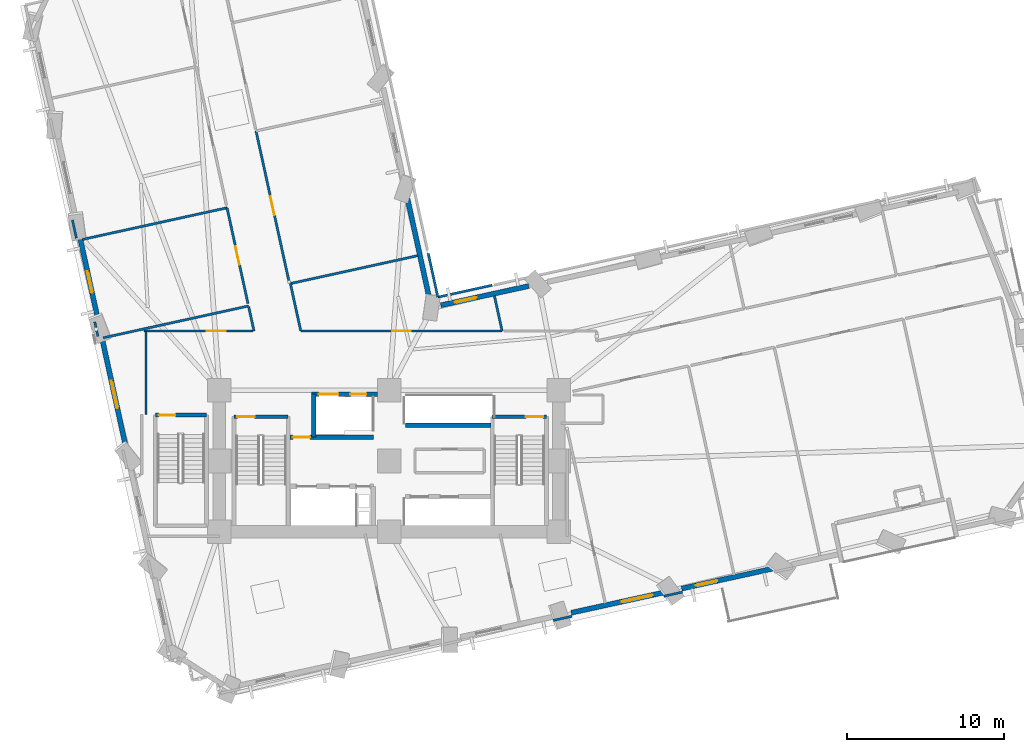
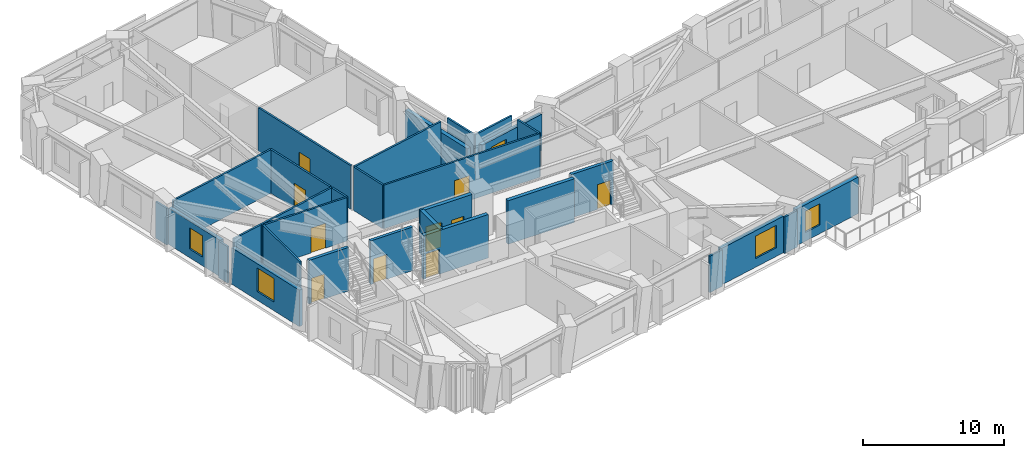
# One storey, part 7 of 14: 30 walls, 10 doors, 5 windows, 15 openings.
"""IFC4 building model written with IfcOpenShell, lengths in metres."""

from ifc_helpers import new_model, si_unit, direction, frame, frame_2d, origin, place, context, subcontext, project, spatial, rectangle, extrude, material, layer, layer_set, type_object, element, fill, save


model = new_model("IFC4")

# Units and contexts
model_context = context("Model", 3, precision=1e-05, world=origin(), true_north=direction((0.0, 1.0)))
body_context = subcontext(model_context, "Body", "Model", "MODEL_VIEW")
ifc_project = project(units=[si_unit("LENGTHUNIT", "METRE"), si_unit("AREAUNIT", "SQUARE_METRE"), si_unit("VOLUMEUNIT", "CUBIC_METRE"), si_unit("PLANEANGLEUNIT", "RADIAN"), si_unit("MASSUNIT", "GRAM", prefix="KILO")], contexts=[model_context])

# Site, building, storey
site_placement = place(None, origin())
site = spatial("IfcSite", under=ifc_project, at=site_placement, CompositionType="ELEMENT")
building_placement = place(site_placement, origin())
building = spatial("IfcBuilding", under=site, at=building_placement, Name="Gaonmaruhae Medical Tower", CompositionType="ELEMENT")
storey_placement = place(building_placement, frame((0.0, 0.0, 75.0)))
storey = spatial("IfcBuildingStorey", under=building, at=storey_placement, Name="L17", CompositionType="ELEMENT", Elevation=75.0)

# Wall, opening, window
ifc_material_1 = material(Name="Precast concrete C45/55", Category="concrete")
ifc_layer_1 = layer(ifc_material_1, 0.320068359375)
ifc_layer_set_1 = layer_set([ifc_layer_1], Name="Precast concrete C45/55")
wall_type_1 = type_object("IfcWallType", Name="EW-320 Lower Precast Masonry-Frame Facade Wall", PredefinedType="SOLIDWALL", material=ifc_layer_set_1)
wall_1_placement = place(storey_placement, frame((42.244384765625, 3.91552734375, 0.0), z_axis=(0.0, 0.0, 1.0), x_axis=(-0.976864612663, -0.213858664838, 0.0)))
wall_1 = element("IfcWall", 1, at=wall_1_placement, inside=storey, type_object=wall_type_1, Name="L17 Precast Masonry-Frame Wall S04-S05", PredefinedType="SOLIDWALL", context=body_context, shape_type="SweptSolid", body=[
    extrude(rectangle(XDim=5.9853515625, YDim=0.320068359375, at=frame_2d((2.99267578125, 0.0))), origin(), (0.0, 0.0, 1.0), 3.1650390625),
])
opening_1_placement = place(wall_1_placement, frame((0.68408203125, 0.0, 0.75)))
opening_1 = element("IfcOpeningElement", 2, at=opening_1_placement, cuts=wall_1, Name="Opening WN-02", PredefinedType="OPENING", context=body_context, shape_type="SweptSolid", body=[
    extrude(rectangle(XDim=2.0, YDim=1.949951171875, at=frame_2d((1.0, 0.97509765625))), frame((0.0, 0.169921875, 0.0), z_axis=(0.0, -1.0, 0.0), x_axis=(1.0, 0.0, 0.0)), (0.0, 0.0, 1.0), 0.340087890625),
])
ifc_material_2 = material(Name="Anodised aluminium and Low-E double glazing", Category="aluminium")
window_type_1 = type_object("IfcWindowType", Name="WN-02 Double-Bed Ward Punched Window 2000x1950", PartitioningType="SINGLE_PANEL", PredefinedType="WINDOW", material=ifc_material_2)
window_1_placement = place(opening_1_placement, origin())
window_1 = element("IfcWindow", 3, at=window_1_placement, inside=storey, type_object=window_type_1, Name="L17 Modular Facade Window S04", OverallHeight=1.949951171875, OverallWidth=2.0, PartitioningType="SINGLE_PANEL", PredefinedType="WINDOW", context=body_context, shape_type="SweptSolid", body=[
    extrude(rectangle(XDim=2.0, YDim=1.949951171875, at=frame_2d((1.0, 0.97509765625))), frame((0.0, 0.030029296875, 0.0), z_axis=(0.0, -1.0, 0.0), x_axis=(1.0, 0.0, 0.0)), (0.0, 0.0, 1.0), 0.06005859375),
])
fill(opening_1, window_1)

wall_2_placement = place(storey_placement, frame((49.28369140625, 5.456787109375, 0.0), z_axis=(0.0, 0.0, 1.0), x_axis=(-0.976859069831, -0.213883981842, 0.0)))
wall_2 = element("IfcWall", 4, at=wall_2_placement, inside=storey, type_object=wall_type_1, Name="L17 Precast Masonry-Frame Wall S05-S06", PredefinedType="SOLIDWALL", context=body_context, shape_type="SweptSolid", body=[
    extrude(rectangle(XDim=5.99267578125, YDim=0.320068359375, at=frame_2d((2.996337890625, 0.0))), origin(), (0.0, 0.0, 1.0), 3.1650390625),
])
opening_2_placement = place(wall_2_placement, frame((3.673095703125, 0.0, 0.75)))
opening_2 = element("IfcOpeningElement", 5, at=opening_2_placement, cuts=wall_2, Name="Opening WN-03", PredefinedType="OPENING", context=body_context, shape_type="SweptSolid", body=[
    extrude(rectangle(XDim=1.39990234375, YDim=1.85009765625, at=frame_2d((0.699951171875, 0.925048828125))), frame((0.0, 0.169921875, 0.0), z_axis=(0.0, -1.0, 0.0), x_axis=(1.0, 0.0, 0.0)), (0.0, 0.0, 1.0), 0.340087890625),
])
window_type_2 = type_object("IfcWindowType", Name="WN-03 Isolation Ward Punched Window 1400x1850", PartitioningType="SINGLE_PANEL", PredefinedType="WINDOW", material=ifc_material_2)
window_2_placement = place(opening_2_placement, origin())
window_2 = element("IfcWindow", 6, at=window_2_placement, inside=storey, type_object=window_type_2, Name="L17 Modular Facade Window S05", OverallHeight=1.85009765625, OverallWidth=1.39990234375, PartitioningType="SINGLE_PANEL", PredefinedType="WINDOW", context=body_context, shape_type="SweptSolid", body=[
    extrude(rectangle(XDim=1.39990234375, YDim=1.85009765625, at=frame_2d((0.699951171875, 0.925048828125))), frame((0.0, 0.030029296875, 0.0), z_axis=(0.0, -1.0, 0.0), x_axis=(1.0, 0.0, 0.0)), (0.0, 0.0, 1.0), 0.06005859375),
])
fill(opening_2, window_2)

wall_3_placement = place(storey_placement, frame((28.093017578125, 22.21240234375, 0.0), z_axis=(0.0, 0.0, 1.0), x_axis=(0.976862240577, 0.213869499778, 0.0)))
wall_3 = element("IfcWall", 7, at=wall_3_placement, inside=storey, type_object=wall_type_1, Name="L17 Precast Masonry-Frame Wall EN04-KN01", PredefinedType="SOLIDWALL", context=body_context, shape_type="SweptSolid", body=[
    extrude(rectangle(XDim=5.736328125, YDim=0.320068359375, at=frame_2d((2.8681640625, 0.0))), origin(), (0.0, 0.0, 1.0), 3.1650390625),
])
opening_3_placement = place(wall_3_placement, frame((0.927978515625, 0.0, 0.75)))
opening_3 = element("IfcOpeningElement", 8, at=opening_3_placement, cuts=wall_3, Name="Opening WN-03", PredefinedType="OPENING", context=body_context, shape_type="SweptSolid", body=[
    extrude(rectangle(XDim=1.39990234375, YDim=1.85009765625, at=frame_2d((0.699951171875, 0.925048828125))), frame((0.0, 0.169921875, 0.0), z_axis=(0.0, -1.0, 0.0), x_axis=(1.0, 0.0, 0.0)), (0.0, 0.0, 1.0), 0.340087890625),
])
window_3_placement = place(opening_3_placement, origin())
window_3 = element("IfcWindow", 9, at=window_3_placement, inside=storey, type_object=window_type_2, Name="L17 Modular Facade Window EN04", OverallHeight=1.85009765625, OverallWidth=1.39990234375, PartitioningType="SINGLE_PANEL", PredefinedType="WINDOW", context=body_context, shape_type="SweptSolid", body=[
    extrude(rectangle(XDim=1.39990234375, YDim=1.85009765625, at=frame_2d((0.699951171875, 0.925048828125))), frame((0.0, 0.030029296875, 0.0), z_axis=(0.0, -1.0, 0.0), x_axis=(1.0, 0.0, 0.0)), (0.0, 0.0, 1.0), 0.06005859375),
])
fill(opening_3, window_3)

# Wall
wall_4_placement = place(storey_placement, frame((27.371826171875, 22.62109375, 0.0), z_axis=(0.0, 0.0, 1.0), x_axis=(-0.213848378678, 0.976866864489, 0.0)))
element("IfcWall", 10, at=wall_4_placement, inside=storey, type_object=wall_type_1, Name="L17 Precast Masonry-Frame Wall KN01-NE01", PredefinedType="SOLIDWALL", context=body_context, shape_type="SweptSolid", body=[
    extrude(rectangle(XDim=6.535888671875, YDim=0.320068359375, at=frame_2d((3.26806640625, 0.0))), origin(), (0.0, 0.0, 1.0), 2.864990234375),
])

# Wall, opening, window
wall_5_placement = place(storey_placement, frame((6.286865234375, 21.205078125, 0.0), z_axis=(0.0, 0.0, 1.0), x_axis=(-0.21388700502, 0.976858407899, 0.0)))
wall_5 = element("IfcWall", 11, at=wall_5_placement, inside=storey, type_object=wall_type_1, Name="L17 Precast Masonry-Frame Wall W03-W04", PredefinedType="SOLIDWALL", context=body_context, shape_type="SweptSolid", body=[
    extrude(rectangle(XDim=5.437744140625, YDim=0.320068359375, at=frame_2d((2.71875, 0.0))), origin(), (0.0, 0.0, 1.0), 3.1650390625),
])
opening_4_placement = place(wall_5_placement, frame((1.842529296875, 0.0, 0.75)))
opening_4 = element("IfcOpeningElement", 12, at=opening_4_placement, cuts=wall_5, Name="Opening WN-03", PredefinedType="OPENING", context=body_context, shape_type="SweptSolid", body=[
    extrude(rectangle(XDim=1.39990234375, YDim=1.85009765625, at=frame_2d((0.699951171875, 0.925048828125))), frame((0.0, 0.169921875, 0.0), z_axis=(0.0, -1.0, 0.0), x_axis=(1.0, 0.0, 0.0)), (0.0, 0.0, 1.0), 0.340087890625),
])
window_4_placement = place(opening_4_placement, origin())
window_4 = element("IfcWindow", 13, at=window_4_placement, inside=storey, type_object=window_type_2, Name="L17 Modular Facade Window W03", OverallHeight=1.85009765625, OverallWidth=1.39990234375, PartitioningType="SINGLE_PANEL", PredefinedType="WINDOW", context=body_context, shape_type="SweptSolid", body=[
    extrude(rectangle(XDim=1.39990234375, YDim=1.85009765625, at=frame_2d((0.699951171875, 0.925048828125))), frame((0.0, 0.030029296875, 0.0), z_axis=(0.0, -1.0, 0.0), x_axis=(1.0, 0.0, 0.0)), (0.0, 0.0, 1.0), 0.06005859375),
])
fill(opening_4, window_4)

wall_6_placement = place(storey_placement, frame((8.0732421875, 13.04638671875, 0.0), z_axis=(0.0, 0.0, 1.0), x_axis=(-0.213886644923, 0.976858486744, 0.0)))
wall_6 = element("IfcWall", 14, at=wall_6_placement, inside=storey, type_object=wall_type_1, Name="L17 Precast Masonry-Frame Wall W04-W05", PredefinedType="SOLIDWALL", context=body_context, shape_type="SweptSolid", body=[
    extrude(rectangle(XDim=7.13623046875, YDim=0.320068359375, at=frame_2d((3.568115234375, 0.0))), origin(), (0.0, 0.0, 1.0), 3.1650390625),
])
opening_5_placement = place(wall_6_placement, frame((2.668701171875, 0.0, 0.75)))
opening_5 = element("IfcOpeningElement", 15, at=opening_5_placement, cuts=wall_6, Name="Opening WN-04", PredefinedType="OPENING", context=body_context, shape_type="SweptSolid", body=[
    extrude(rectangle(XDim=1.800048828125, YDim=2.050048828125, at=frame_2d((0.89990234375, 1.02490234375))), frame((0.0, 0.169921875, 0.0), z_axis=(0.0, -1.0, 0.0), x_axis=(1.0, 0.0, 0.0)), (0.0, 0.0, 1.0), 0.340087890625),
])
window_type_3 = type_object("IfcWindowType", Name="WN-04 Clinic & Consult Punched Window 1800x2050", PartitioningType="SINGLE_PANEL", PredefinedType="WINDOW", material=ifc_material_2)
window_5_placement = place(opening_5_placement, origin())
window_5 = element("IfcWindow", 16, at=window_5_placement, inside=storey, type_object=window_type_3, Name="L17 Modular Facade Window W04", OverallHeight=2.050048828125, OverallWidth=1.800048828125, PartitioningType="SINGLE_PANEL", PredefinedType="WINDOW", context=body_context, shape_type="SweptSolid", body=[
    extrude(rectangle(XDim=1.800048828125, YDim=2.050048828125, at=frame_2d((0.89990234375, 1.02490234375))), frame((0.0, 0.030029296875, 0.0), z_axis=(0.0, -1.0, 0.0), x_axis=(1.0, 0.0, 0.0)), (0.0, 0.0, 1.0), 0.06005859375),
])
fill(opening_5, window_5)

# Walls
ifc_material_3 = material(Name="Gypsum board partition", Category="gypsum")
ifc_layer_2 = layer(ifc_material_3, 0.14990234375)
ifc_layer_set_2 = layer_set([ifc_layer_2], Name="Gypsum board partition")
wall_type_2 = type_object("IfcWallType", Name="PW-150 Rated Clinical Corridor Partition", PredefinedType="PARTITIONING", material=ifc_layer_set_2)
wall_7_placement = place(storey_placement, frame((36.447021484375, 2.410888671875, 0.0), z_axis=(0.0, 0.0, 1.0), x_axis=(-0.976839685848, -0.213972493918, 0.0)))
element("IfcWall", 17, at=wall_7_placement, inside=storey, type_object=wall_type_2, Name="L17 Interior Partition L17-SUP04-19", PredefinedType="PARTITIONING", context=body_context, shape_type="SweptSolid", body=[
    extrude(rectangle(XDim=1.215087890625, YDim=0.14990234375, at=frame_2d((0.607421875, 0.0))), origin(), (0.0, 0.0, 1.0), 3.1650390625),
])
wall_8_placement = place(storey_placement, frame((43.47900390625, 3.949951171875, 0.0), z_axis=(0.0, 0.0, 1.0), x_axis=(-0.976970809845, -0.213372999021, 0.0)))
element("IfcWall", 18, at=wall_8_placement, inside=storey, type_object=wall_type_2, Name="L17 Interior Partition L17-SUP05-23", PredefinedType="PARTITIONING", context=body_context, shape_type="SweptSolid", body=[
    extrude(rectangle(XDim=1.214111328125, YDim=0.14990234375, at=frame_2d((0.60693359375, 0.0))), origin(), (0.0, 0.0, 1.0), 3.1650390625),
])
wall_9_placement = place(storey_placement, frame((9.320068359375, 20.550048828125, 0.0), z_axis=(0.0, 0.0, 1.0), x_axis=(0.001476830584, -0.999998909485, 0.0)))
element("IfcWall", 19, at=wall_9_placement, inside=storey, type_object=wall_type_2, Name="L17 Interior Partition L17-WCL09-41", PredefinedType="PARTITIONING", context=body_context, shape_type="SweptSolid", body=[
    extrude(rectangle(XDim=5.2900390625, YDim=0.14990234375, at=frame_2d((2.64501953125, 0.0))), origin(), (0.0, 0.0, 1.0), 3.780029296875),
])
wall_10_placement = place(storey_placement, frame((6.60009765625, 20.14208984375, 0.0), z_axis=(0.0, 0.0, 1.0), x_axis=(0.976855600785, 0.213899825188, 0.0)))
element("IfcWall", 20, at=wall_10_placement, inside=storey, type_object=wall_type_2, Name="L17 Interior Partition L17-WCL09-45", PredefinedType="PARTITIONING", context=body_context, shape_type="SweptSolid", body=[
    extrude(rectangle(XDim=9.47119140625, YDim=0.14990234375, at=frame_2d((4.735595703125, 0.0))), origin(), (0.0, 0.0, 1.0), 3.780029296875),
])
wall_11_placement = place(storey_placement, frame((15.863037109375, 22.118896484375, 0.0), z_axis=(0.0, 0.0, 1.0), x_axis=(0.213877135487, -0.97686056882, 0.0)))
element("IfcWall", 21, at=wall_11_placement, inside=storey, type_object=wall_type_2, Name="L17 Interior Partition L17-WCL09-46", PredefinedType="PARTITIONING", context=body_context, shape_type="SweptSolid", body=[
    extrude(rectangle(XDim=1.5751953125, YDim=0.14990234375, at=frame_2d((0.78759765625, 0.0))), origin(), (0.0, 0.0, 1.0), 3.780029296875),
])

# Wall, opening, door
wall_12_placement = place(storey_placement, frame((16.14892578125, 20.580078125, 0.0), z_axis=(0.0, 0.0, 1.0), x_axis=(-1.0, 0.0, 0.0)))
wall_12 = element("IfcWall", 22, at=wall_12_placement, inside=storey, type_object=wall_type_2, Name="L17 Interior Partition L17-WCL09-47", PredefinedType="PARTITIONING", context=body_context, shape_type="SweptSolid", body=[
    extrude(rectangle(XDim=6.9638671875, YDim=0.14990234375, at=frame_2d((3.48193359375, 0.0))), origin(), (0.0, 0.0, 1.0), 3.780029296875),
])
opening_6_placement = place(wall_12_placement, frame((1.743408203125, 0.0, 0.0)))
opening_6 = element("IfcOpeningElement", 23, at=opening_6_placement, cuts=wall_12, Name="Opening CD-02", PredefinedType="OPENING", context=body_context, shape_type="SweptSolid", body=[
    extrude(rectangle(XDim=1.199951171875, YDim=2.14990234375, at=frame_2d((0.60009765625, 1.074951171875))), frame((0.0, 0.0849609375, 0.0), z_axis=(0.0, -1.0, 0.0), x_axis=(1.0, 0.0, 0.0)), (0.0, 0.0, 1.0), 0.169921875),
])
ifc_material_4 = material(Name="Antimicrobial laminate timber fire door", Category="wood")
door_type_1 = type_object("IfcDoorType", Name="CD-02 Clinical Treatment & Procedure Door 1200x2150", OperationType="NOTDEFINED", PredefinedType="DOOR", material=ifc_material_4)
door_1_placement = place(opening_6_placement, origin())
door_1 = element("IfcDoor", 24, at=door_1_placement, inside=storey, type_object=door_type_1, Name="L17 Specialist Consultation Office Door", OperationType="SINGLE_SWING_RIGHT", OverallHeight=2.14990234375, OverallWidth=1.199951171875, PredefinedType="DOOR", context=body_context, shape_type="SweptSolid", body=[
    extrude(rectangle(XDim=1.199951171875, YDim=2.14990234375, at=frame_2d((0.60009765625, 1.074951171875))), frame((0.0, 0.02490234375, 0.0), z_axis=(0.0, -1.0, 0.0), x_axis=(1.0, 0.0, 0.0)), (0.0, 0.0, 1.0), 0.050048828125),
])
fill(opening_6, door_1)

# Wall
wall_13_placement = place(storey_placement, frame((5.285888671875, 26.406005859375, 0.0), z_axis=(0.0, 0.0, 1.0), x_axis=(0.976854150105, 0.213906450166, 0.0)))
element("IfcWall", 25, at=wall_13_placement, inside=storey, type_object=wall_type_2, Name="L17 Interior Partition L17-WOF10-48", PredefinedType="PARTITIONING", context=body_context, shape_type="SweptSolid", body=[
    extrude(rectangle(XDim=9.4150390625, YDim=0.14990234375, at=frame_2d((4.70751953125, 0.0))), origin(), (0.0, 0.0, 1.0), 3.780029296875),
])

# Wall, opening, door
wall_14_placement = place(storey_placement, frame((14.48291015625, 28.419921875, 0.0), z_axis=(0.0, 0.0, 1.0), x_axis=(0.213959387343, -0.976842556694, 0.0)))
wall_14 = element("IfcWall", 26, at=wall_14_placement, inside=storey, type_object=wall_type_2, Name="L17 Interior Partition L17-WOF10-49", PredefinedType="PARTITIONING", context=body_context, shape_type="SweptSolid", body=[
    extrude(rectangle(XDim=6.240478515625, YDim=0.14990234375, at=frame_2d((3.1201171875, 0.0))), origin(), (0.0, 0.0, 1.0), 3.780029296875),
])
opening_7_placement = place(wall_14_placement, frame((2.520263671875, 0.0, 0.0)))
opening_7 = element("IfcOpeningElement", 27, at=opening_7_placement, cuts=wall_14, Name="Opening CD-02", PredefinedType="OPENING", context=body_context, shape_type="SweptSolid", body=[
    extrude(rectangle(XDim=1.199951171875, YDim=2.14990234375, at=frame_2d((0.60009765625, 1.074951171875))), frame((0.0, 0.0849609375, 0.0), z_axis=(0.0, -1.0, 0.0), x_axis=(1.0, 0.0, 0.0)), (0.0, 0.0, 1.0), 0.169921875),
])
door_2_placement = place(opening_7_placement, origin())
door_2 = element("IfcDoor", 28, at=door_2_placement, inside=storey, type_object=door_type_1, Name="L17 Ward Physician Reporting Office Door", OperationType="SINGLE_SWING_LEFT", OverallHeight=2.14990234375, OverallWidth=1.199951171875, PredefinedType="DOOR", context=body_context, shape_type="SweptSolid", body=[
    extrude(rectangle(XDim=1.199951171875, YDim=2.14990234375, at=frame_2d((0.60009765625, 1.074951171875))), frame((0.0, 0.02490234375, 0.0), z_axis=(0.0, -1.0, 0.0), x_axis=(1.0, 0.0, 0.0)), (0.0, 0.0, 1.0), 0.050048828125),
])
fill(opening_7, door_2)

# Walls
wall_15_placement = place(storey_placement, frame((6.263916015625, 20.23291015625, 0.0), z_axis=(0.0, 0.0, 1.0), x_axis=(-0.213673762505, 0.9769050738, 0.0)))
element("IfcWall", 29, at=wall_15_placement, inside=storey, type_object=wall_type_2, Name="L17 Interior Partition L17-WOF10-50", PredefinedType="PARTITIONING", context=body_context, shape_type="SweptSolid", body=[
    extrude(rectangle(XDim=0.94482421875, YDim=0.14990234375, at=frame_2d((0.472412109375, 0.0))), origin(), (0.0, 0.0, 1.0), 3.1650390625),
])
wall_16_placement = place(storey_placement, frame((4.89501953125, 26.485107421875, 0.0), z_axis=(0.0, 0.0, 1.0), x_axis=(-0.214302312484, 0.976767382166, 0.0)))
element("IfcWall", 30, at=wall_16_placement, inside=storey, type_object=wall_type_2, Name="L17 Interior Partition L17-WOF11-53", PredefinedType="PARTITIONING", context=body_context, shape_type="SweptSolid", body=[
    extrude(rectangle(XDim=1.1904296875, YDim=0.14990234375, at=frame_2d((0.59521484375, 0.0))), origin(), (0.0, 0.0, 1.0), 3.1650390625),
])
wall_17_placement = place(storey_placement, frame((18.51806640625, 23.595947265625, 0.0), z_axis=(0.0, 0.0, 1.0), x_axis=(0.97684033918, 0.213969511266, 0.0)))
element("IfcWall", 31, at=wall_17_placement, inside=storey, type_object=wall_type_2, Name="L17 Interior Partition L17-IE01-59", PredefinedType="PARTITIONING", context=body_context, shape_type="SweptSolid", body=[
    extrude(rectangle(XDim=8.305419921875, YDim=0.14990234375, at=frame_2d((4.15283203125, 0.0))), origin(), (0.0, 0.0, 1.0), 3.780029296875),
])
wall_18_placement = place(storey_placement, frame((27.300048828125, 25.51904296875, 0.0), z_axis=(0.0, 0.0, 1.0), x_axis=(0.213990668266, -0.976835704658, 0.0)))
element("IfcWall", 32, at=wall_18_placement, inside=storey, type_object=wall_type_2, Name="L17 Interior Partition L17-IE01-60", PredefinedType="PARTITIONING", context=body_context, shape_type="SweptSolid", body=[
    extrude(rectangle(XDim=2.849853515625, YDim=0.14990234375, at=frame_2d((1.4248046875, 0.0))), origin(), (0.0, 0.0, 1.0), 3.780029296875),
])
wall_19_placement = place(storey_placement, frame((27.909912109375, 22.735107421875, 0.0), z_axis=(0.0, 0.0, 1.0), x_axis=(0.976833231196, 0.214001958943, 0.0)))
element("IfcWall", 33, at=wall_19_placement, inside=storey, type_object=wall_type_2, Name="L17 Interior Partition L17-IE01-61", PredefinedType="PARTITIONING", context=body_context, shape_type="SweptSolid", body=[
    extrude(rectangle(XDim=3.531982421875, YDim=0.14990234375, at=frame_2d((1.76611328125, 0.0))), origin(), (0.0, 0.0, 1.0), 3.780029296875),
])
wall_20_placement = place(storey_placement, frame((31.507080078125, 22.822021484375, 0.0), z_axis=(0.0, 0.0, 1.0), x_axis=(0.213922116601, -0.976850719419, 0.0)))
element("IfcWall", 34, at=wall_20_placement, inside=storey, type_object=wall_type_2, Name="L17 Interior Partition L17-IE01-62", PredefinedType="PARTITIONING", context=body_context, shape_type="SweptSolid", body=[
    extrude(rectangle(XDim=2.295166015625, YDim=0.14990234375, at=frame_2d((1.1474609375, 0.0))), origin(), (0.0, 0.0, 1.0), 3.780029296875),
])

# Wall, opening, door
wall_21_placement = place(storey_placement, frame((31.998046875, 20.580078125, 0.0), z_axis=(0.0, 0.0, 1.0), x_axis=(-1.0, 0.0, 0.0)))
wall_21 = element("IfcWall", 35, at=wall_21_placement, inside=storey, type_object=wall_type_2, Name="L17 Interior Partition L17-IE01-63", PredefinedType="PARTITIONING", context=body_context, shape_type="SweptSolid", body=[
    extrude(rectangle(XDim=12.819091796875, YDim=0.14990234375, at=frame_2d((6.40966796875, 0.0))), origin(), (0.0, 0.0, 1.0), 3.780029296875),
])
opening_8_placement = place(wall_21_placement, frame((5.8095703125, 0.0, 0.0)))
opening_8 = element("IfcOpeningElement", 36, at=opening_8_placement, cuts=wall_21, Name="Opening CD-02", PredefinedType="OPENING", context=body_context, shape_type="SweptSolid", body=[
    extrude(rectangle(XDim=1.199951171875, YDim=2.14990234375, at=frame_2d((0.60009765625, 1.074951171875))), frame((0.0, 0.0849609375, 0.0), z_axis=(0.0, -1.0, 0.0), x_axis=(1.0, 0.0, 0.0)), (0.0, 0.0, 1.0), 0.169921875),
])
door_3_placement = place(opening_8_placement, origin())
door_3 = element("IfcDoor", 37, at=door_3_placement, inside=storey, type_object=door_type_1, Name="L17 Central Clinical Nurse Station Door", OperationType="SINGLE_SWING_RIGHT", OverallHeight=2.14990234375, OverallWidth=1.199951171875, PredefinedType="DOOR", context=body_context, shape_type="SweptSolid", body=[
    extrude(rectangle(XDim=1.199951171875, YDim=2.14990234375, at=frame_2d((0.60009765625, 1.074951171875))), frame((0.0, 0.02490234375, 0.0), z_axis=(0.0, -1.0, 0.0), x_axis=(1.0, 0.0, 0.0)), (0.0, 0.0, 1.0), 0.050048828125),
])
fill(opening_8, door_3)

# Wall
wall_22_placement = place(storey_placement, frame((19.178955078125, 20.580078125, 0.0), z_axis=(0.0, 0.0, 1.0), x_axis=(-0.214057678947, 0.976821022544, 0.0)))
element("IfcWall", 38, at=wall_22_placement, inside=storey, type_object=wall_type_2, Name="L17 Interior Partition L17-IE01-64", PredefinedType="PARTITIONING", context=body_context, shape_type="SweptSolid", body=[
    extrude(rectangle(XDim=3.08740234375, YDim=0.14990234375, at=frame_2d((1.543701171875, 0.0))), origin(), (0.0, 0.0, 1.0), 3.780029296875),
])

# Wall, opening, door
wall_23_placement = place(storey_placement, frame((18.4150390625, 23.7890625, 0.0), z_axis=(0.0, 0.0, 1.0), x_axis=(-0.213853705806, 0.976865698299, 0.0)))
wall_23 = element("IfcWall", 39, at=wall_23_placement, inside=storey, type_object=wall_type_2, Name="L17 Interior Partition L17-IN01-80", PredefinedType="PARTITIONING", context=body_context, shape_type="SweptSolid", body=[
    extrude(rectangle(XDim=9.74951171875, YDim=0.14990234375, at=frame_2d((4.874755859375, 0.0))), origin(), (0.0, 0.0, 1.0), 3.780029296875),
])
opening_9_placement = place(wall_23_placement, frame((4.27490234375, 0.0, 0.0)))
opening_9 = element("IfcOpeningElement", 40, at=opening_9_placement, cuts=wall_23, Name="Opening CD-02", PredefinedType="OPENING", context=body_context, shape_type="SweptSolid", body=[
    extrude(rectangle(XDim=1.199951171875, YDim=2.14990234375, at=frame_2d((0.60009765625, 1.074951171875))), frame((0.0, 0.0849609375, 0.0), z_axis=(0.0, -1.0, 0.0), x_axis=(1.0, 0.0, 0.0)), (0.0, 0.0, 1.0), 0.169921875),
])
door_4_placement = place(opening_9_placement, origin())
door_4 = element("IfcDoor", 41, at=door_4_placement, inside=storey, type_object=door_type_1, Name="L17 Physician Consultation Office Door", OperationType="SINGLE_SWING_LEFT", OverallHeight=2.14990234375, OverallWidth=1.199951171875, PredefinedType="DOOR", context=body_context, shape_type="SweptSolid", body=[
    extrude(rectangle(XDim=1.199951171875, YDim=2.14990234375, at=frame_2d((0.60009765625, 1.074951171875))), frame((0.0, 0.02490234375, 0.0), z_axis=(0.0, -1.0, 0.0), x_axis=(1.0, 0.0, 0.0)), (0.0, 0.0, 1.0), 0.050048828125),
])
fill(opening_9, door_4)

ifc_material_5 = material(Name="Concrete C50/60", Category="concrete")
ifc_layer_3 = layer(ifc_material_5, 0.239990234375)
ifc_layer_set_3 = layer_set([ifc_layer_3], Name="Concrete C50/60")
wall_type_3 = type_object("IfcWallType", Name="SW-240 Dogleg Stair Tight Shaft Wall", PredefinedType="SOLIDWALL", material=ifc_layer_set_3)
wall_24_placement = place(storey_placement, frame((14.919921875, 15.1201171875, 0.0), z_axis=(0.0, 0.0, 1.0), x_axis=(1.0, 0.0, 0.0)))
wall_24 = element("IfcWall", 42, at=wall_24_placement, inside=storey, type_object=wall_type_3, Name="L17 ST-01 Stair Shaft Wall SHW-ST-01-N", PredefinedType="SOLIDWALL", context=body_context, shape_type="SweptSolid", body=[
    extrude(rectangle(XDim=3.4599609375, YDim=0.239990234375, at=frame_2d((1.72998046875, 0.0))), origin(), (0.0, 0.0, 1.0), 3.780029296875),
])
opening_10_placement = place(wall_24_placement, frame((0.219970703125, 0.0, 0.0)))
opening_10 = element("IfcOpeningElement", 43, at=opening_10_placement, cuts=wall_24, Name="Opening FD-01", PredefinedType="OPENING", context=body_context, shape_type="SweptSolid", body=[
    extrude(rectangle(XDim=1.10009765625, YDim=2.14990234375, at=frame_2d((0.550048828125, 1.074951171875))), frame((0.0, 0.1298828125, 0.0), z_axis=(0.0, -1.0, 0.0), x_axis=(1.0, 0.0, 0.0)), (0.0, 0.0, 1.0), 0.260009765625),
])
ifc_material_6 = material(Name="Powder-coated steel fire door", Category="steel")
door_type_2 = type_object("IfcDoorType", Name="FD-01 Escape Stair Protected Fire Door 1100x2150", OperationType="NOTDEFINED", PredefinedType="DOOR", material=ifc_material_6)
door_5_placement = place(opening_10_placement, origin())
door_5 = element("IfcDoor", 44, at=door_5_placement, inside=storey, type_object=door_type_2, Name="L17 ST-01 Protected Escape Stair Door", OperationType="SINGLE_SWING_RIGHT", OverallHeight=2.14990234375, OverallWidth=1.10009765625, PredefinedType="DOOR", context=body_context, shape_type="SweptSolid", body=[
    extrude(rectangle(XDim=1.10009765625, YDim=2.14990234375, at=frame_2d((0.550048828125, 1.074951171875))), frame((0.0, 0.02490234375, 0.0), z_axis=(0.0, -1.0, 0.0), x_axis=(1.0, 0.0, 0.0)), (0.0, 0.0, 1.0), 0.050048828125),
])
fill(opening_10, door_5)

wall_25_placement = place(storey_placement, frame((31.3701171875, 15.1201171875, 0.0), z_axis=(0.0, 0.0, 1.0), x_axis=(1.0, 0.0, 0.0)))
wall_25 = element("IfcWall", 45, at=wall_25_placement, inside=storey, type_object=wall_type_3, Name="L17 ST-02 Stair Shaft Wall SHW-ST-02-N", PredefinedType="SOLIDWALL", context=body_context, shape_type="SweptSolid", body=[
    extrude(rectangle(XDim=3.4599609375, YDim=0.239990234375, at=frame_2d((1.72998046875, 0.0))), origin(), (0.0, 0.0, 1.0), 3.780029296875),
])
opening_11_placement = place(wall_25_placement, frame((2.139892578125, 0.0, 0.0)))
opening_11 = element("IfcOpeningElement", 46, at=opening_11_placement, cuts=wall_25, Name="Opening FD-01", PredefinedType="OPENING", context=body_context, shape_type="SweptSolid", body=[
    extrude(rectangle(XDim=1.10009765625, YDim=2.14990234375, at=frame_2d((0.550048828125, 1.074951171875))), frame((0.0, 0.1298828125, 0.0), z_axis=(0.0, -1.0, 0.0), x_axis=(1.0, 0.0, 0.0)), (0.0, 0.0, 1.0), 0.260009765625),
])
door_6_placement = place(opening_11_placement, origin())
door_6 = element("IfcDoor", 47, at=door_6_placement, inside=storey, type_object=door_type_2, Name="L17 ST-02 Protected Escape Stair Door", OperationType="SINGLE_SWING_LEFT", OverallHeight=2.14990234375, OverallWidth=1.10009765625, PredefinedType="DOOR", context=body_context, shape_type="SweptSolid", body=[
    extrude(rectangle(XDim=1.10009765625, YDim=2.14990234375, at=frame_2d((0.550048828125, 1.074951171875))), frame((0.0, 0.02490234375, 0.0), z_axis=(0.0, -1.0, 0.0), x_axis=(1.0, 0.0, 0.0)), (0.0, 0.0, 1.0), 0.050048828125),
])
fill(opening_11, door_6)

wall_26_placement = place(storey_placement, frame((9.919921875, 15.219970703125, 0.0), z_axis=(0.0, 0.0, 1.0), x_axis=(1.0, 0.0, 0.0)))
wall_26 = element("IfcWall", 48, at=wall_26_placement, inside=storey, type_object=wall_type_3, Name="L17 ST-03 Stair Shaft Wall SHW-ST-03-N", PredefinedType="SOLIDWALL", context=body_context, shape_type="SweptSolid", body=[
    extrude(rectangle(XDim=3.260009765625, YDim=0.239990234375, at=frame_2d((1.6298828125, 0.0))), origin(), (0.0, 0.0, 1.0), 3.780029296875),
])
opening_12_placement = place(wall_26_placement, frame((0.219970703125, 0.0, 0.0)))
opening_12 = element("IfcOpeningElement", 49, at=opening_12_placement, cuts=wall_26, Name="Opening FD-02", PredefinedType="OPENING", context=body_context, shape_type="SweptSolid", body=[
    extrude(rectangle(XDim=1.050048828125, YDim=2.14990234375, at=frame_2d((0.52490234375, 1.074951171875))), frame((0.0, 0.1298828125, 0.0), z_axis=(0.0, -1.0, 0.0), x_axis=(1.0, 0.0, 0.0)), (0.0, 0.0, 1.0), 0.260009765625),
])
door_type_3 = type_object("IfcDoorType", Name="FD-02 Secondary Stair Fire Door 1050x2150", OperationType="NOTDEFINED", PredefinedType="DOOR", material=ifc_material_6)
door_7_placement = place(opening_12_placement, origin())
door_7 = element("IfcDoor", 50, at=door_7_placement, inside=storey, type_object=door_type_3, Name="L17 ST-03 Protected Escape Stair Door", OperationType="SINGLE_SWING_RIGHT", OverallHeight=2.14990234375, OverallWidth=1.050048828125, PredefinedType="DOOR", context=body_context, shape_type="SweptSolid", body=[
    extrude(rectangle(XDim=1.050048828125, YDim=2.14990234375, at=frame_2d((0.52490234375, 1.074951171875))), frame((0.0, 0.02490234375, 0.0), z_axis=(0.0, -1.0, 0.0), x_axis=(1.0, 0.0, 0.0)), (0.0, 0.0, 1.0), 0.050048828125),
])
fill(opening_12, door_7)

# Wall, openings, doors
ifc_layer_4 = layer(ifc_material_5, 0.300048828125)
ifc_layer_set_4 = layer_set([ifc_layer_4], Name="Concrete C50/60")
wall_type_4 = type_object("IfcWallType", Name="SW-300 Stair & Lift Hoistway Shaft Wall", PredefinedType="SOLIDWALL", material=ifc_layer_set_4)
wall_27_placement = place(storey_placement, frame((19.85009765625, 16.550048828125, 0.0), z_axis=(0.0, 0.0, 1.0), x_axis=(1.0, 0.0, 0.0)))
wall_27 = element("IfcWall", 51, at=wall_27_placement, inside=storey, type_object=wall_type_4, Name="L17 Core Shear Wall CSW-NB", PredefinedType="SOLIDWALL", context=body_context, shape_type="SweptSolid", body=[
    extrude(rectangle(XDim=4.199951171875, YDim=0.300048828125, at=frame_2d((2.10009765625, 0.0))), origin(), (0.0, 0.0, 1.0), 3.780029296875),
])
opening_13_placement = place(wall_27_placement, frame((0.47509765625, 0.0, 0.0)))
opening_13 = element("IfcOpeningElement", 52, at=opening_13_placement, cuts=wall_27, Name="Opening LD-F1", PredefinedType="OPENING", context=body_context, shape_type="SweptSolid", body=[
    extrude(rectangle(XDim=1.25, YDim=2.179931640625, at=frame_2d((0.625, 1.08984375))), frame((0.0, 0.16015625, 0.0), z_axis=(0.0, -1.0, 0.0), x_axis=(1.0, 0.0, 0.0)), (0.0, 0.0, 1.0), 0.320068359375),
])
opening_14_placement = place(wall_27_placement, frame((2.489990234375, 0.0, 0.0)))
opening_14 = element("IfcOpeningElement", 53, at=opening_14_placement, cuts=wall_27, Name="Opening LD-S1", PredefinedType="OPENING", context=body_context, shape_type="SweptSolid", body=[
    extrude(rectangle(XDim=1.02001953125, YDim=2.1201171875, at=frame_2d((0.510009765625, 1.06005859375))), frame((0.0, 0.16015625, 0.0), z_axis=(0.0, -1.0, 0.0), x_axis=(1.0, 0.0, 0.0)), (0.0, 0.0, 1.0), 0.320068359375),
])
ifc_material_7 = material(Name="Brushed stainless steel 316L landing door", Category="steel")
door_type_4 = type_object("IfcDoorType", Name="LD-F1 Firefighting & Bed Lift Sliding Landing Door 1250x2180", OperationType="NOTDEFINED", PredefinedType="DOOR", material=ifc_material_7)
door_8_placement = place(opening_13_placement, origin())
door_8 = element("IfcDoor", 54, at=door_8_placement, inside=storey, type_object=door_type_4, Name="L17 Service/Bed Lift Landing Door BDL-01", OperationType="DOUBLE_DOOR_SLIDING", OverallHeight=2.179931640625, OverallWidth=1.25, PredefinedType="DOOR", context=body_context, shape_type="SweptSolid", body=[
    extrude(rectangle(XDim=1.25, YDim=2.179931640625, at=frame_2d((0.625, 1.08984375))), frame((0.0, 0.02490234375, 0.0), z_axis=(0.0, -1.0, 0.0), x_axis=(1.0, 0.0, 0.0)), (0.0, 0.0, 1.0), 0.050048828125),
])
fill(opening_13, door_8)
ifc_material_8 = material(Name="Brushed stainless steel 304 landing door", Category="steel")
door_type_5 = type_object("IfcDoorType", Name="LD-S1 Service Lift Sliding Landing Door 1020x2120", OperationType="NOTDEFINED", PredefinedType="DOOR", material=ifc_material_8)
door_9_placement = place(opening_14_placement, origin())
door_9 = element("IfcDoor", 55, at=door_9_placement, inside=storey, type_object=door_type_5, Name="L17 Service/Bed Lift Landing Door SVL-01", OperationType="SLIDING_TO_LEFT", OverallHeight=2.1201171875, OverallWidth=1.02001953125, PredefinedType="DOOR", context=body_context, shape_type="SweptSolid", body=[
    extrude(rectangle(XDim=1.02001953125, YDim=2.1201171875, at=frame_2d((0.510009765625, 1.06005859375))), frame((0.0, 0.02490234375, 0.0), z_axis=(0.0, -1.0, 0.0), x_axis=(1.0, 0.0, 0.0)), (0.0, 0.0, 1.0), 0.050048828125),
])
fill(opening_14, door_9)

# Wall, opening, door
wall_28_placement = place(storey_placement, frame((18.5, 13.820068359375, 0.0), z_axis=(0.0, 0.0, 1.0), x_axis=(1.0, 0.0, 0.0)))
wall_28 = element("IfcWall", 56, at=wall_28_placement, inside=storey, type_object=wall_type_4, Name="L17 Shaft Enclosure Wall SHW-FFL", PredefinedType="SOLIDWALL", context=body_context, shape_type="SweptSolid", body=[
    extrude(rectangle(XDim=5.300048828125, YDim=0.300048828125, at=frame_2d((2.64990234375, 0.0))), origin(), (0.0, 0.0, 1.0), 3.780029296875),
])
opening_15_placement = place(wall_28_placement, frame((0.179931640625, 0.0, 0.0)))
opening_15 = element("IfcOpeningElement", 57, at=opening_15_placement, cuts=wall_28, Name="Opening FD-01", PredefinedType="OPENING", context=body_context, shape_type="SweptSolid", body=[
    extrude(rectangle(XDim=1.10009765625, YDim=2.14990234375, at=frame_2d((0.550048828125, 1.074951171875))), frame((0.0, 0.16015625, 0.0), z_axis=(0.0, -1.0, 0.0), x_axis=(1.0, 0.0, 0.0)), (0.0, 0.0, 1.0), 0.320068359375),
])
door_10_placement = place(opening_15_placement, origin())
door_10 = element("IfcDoor", 58, at=door_10_placement, inside=storey, type_object=door_type_2, Name="L17 Firefighting Lobby Smoke Door", OperationType="SINGLE_SWING_LEFT", OverallHeight=2.14990234375, OverallWidth=1.10009765625, PredefinedType="DOOR", context=body_context, shape_type="SweptSolid", body=[
    extrude(rectangle(XDim=1.10009765625, YDim=2.14990234375, at=frame_2d((0.550048828125, 1.074951171875))), frame((0.0, 0.02490234375, 0.0), z_axis=(0.0, -1.0, 0.0), x_axis=(1.0, 0.0, 0.0)), (0.0, 0.0, 1.0), 0.050048828125),
])
fill(opening_15, door_10)

# Walls
wall_29_placement = place(storey_placement, frame((20.0, 13.820068359375, 0.0), z_axis=(0.0, 0.0, 1.0), x_axis=(0.0, 1.0, 0.0)))
element("IfcWall", 59, at=wall_29_placement, inside=storey, type_object=wall_type_4, Name="L17 Shaft Enclosure Wall SHW-BDW", PredefinedType="SOLIDWALL", context=body_context, shape_type="SweptSolid", body=[
    extrude(rectangle(XDim=2.72998046875, YDim=0.300048828125, at=frame_2d((1.364990234375, 0.0))), origin(), (0.0, 0.0, 1.0), 3.780029296875),
])
wall_30_placement = place(storey_placement, frame((25.85009765625, 14.580078125, 0.0), z_axis=(0.0, 0.0, 1.0), x_axis=(1.0, 0.0, 0.0)))
element("IfcWall", 60, at=wall_30_placement, inside=storey, type_object=wall_type_4, Name="L17 Shaft Enclosure Wall SHW-PLN", PredefinedType="SOLIDWALL", context=body_context, shape_type="SweptSolid", body=[
    extrude(rectangle(XDim=5.449951171875, YDim=0.300048828125, at=frame_2d((2.72509765625, 0.0))), origin(), (0.0, 0.0, 1.0), 3.780029296875),
])

save(model, "model.ifc")
